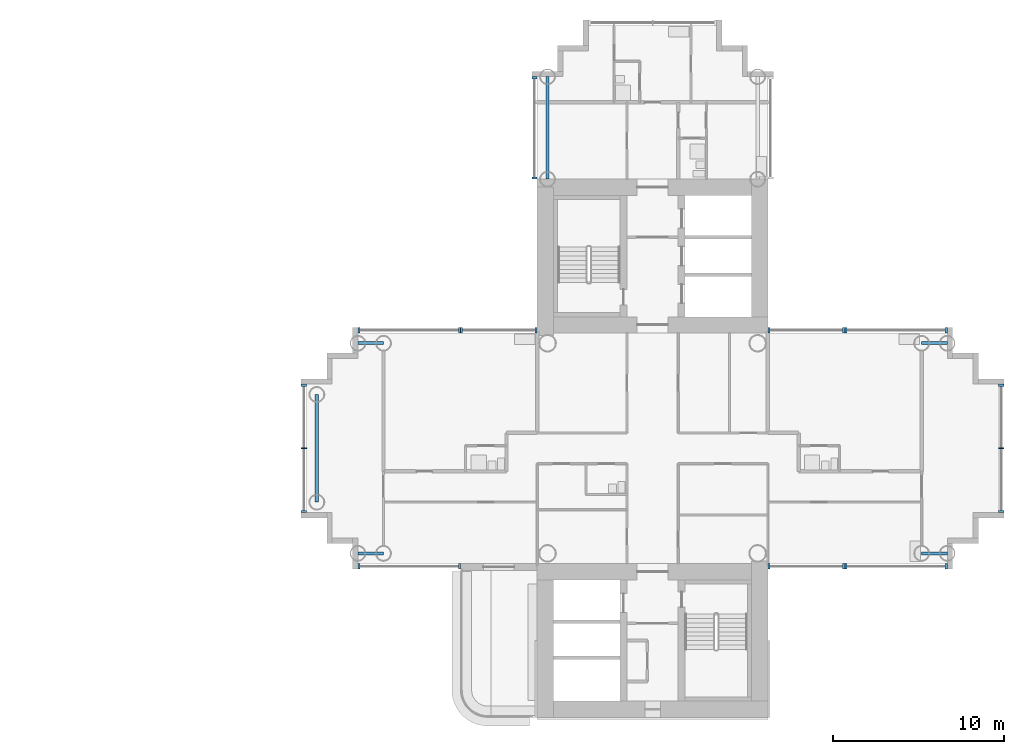
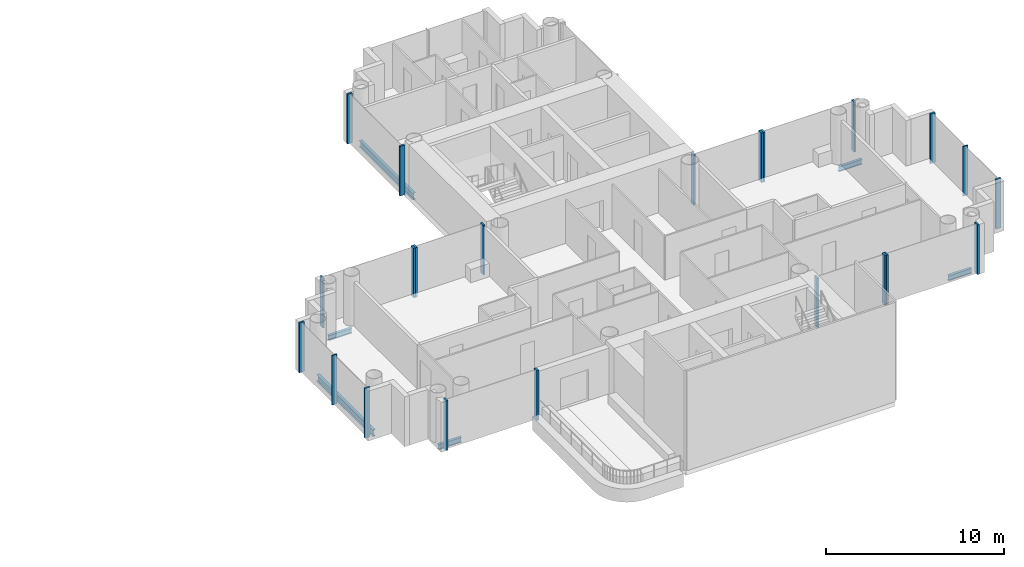
# One storey, part 5 of 21: 22 members, 6 beams, 10 elements without a shape of their own.
"""IFC4 building model written with IfcOpenShell, lengths in metres."""

from ifc_helpers import new_model, si_unit, direction, frame, origin, origin_2d, place, context, subcontext, project, spatial, rectangle, i_section, extrude, material, layer, layer_set, material_profile, profile_set, type_object, element, aggregate, save


model = new_model("IFC4")

# Units and contexts
model_context = context("Model", 3, precision=1e-05, world=origin(), true_north=direction((0.0, 1.0)))
body_context = subcontext(model_context, "Body", "Model", "MODEL_VIEW")
ifc_project = project(units=[si_unit("LENGTHUNIT", "METRE"), si_unit("AREAUNIT", "SQUARE_METRE"), si_unit("VOLUMEUNIT", "CUBIC_METRE"), si_unit("PLANEANGLEUNIT", "RADIAN"), si_unit("MASSUNIT", "GRAM", prefix="KILO")], contexts=[model_context])

# Site, building, storey
site_placement = place(None, origin())
site = spatial("IfcSite", under=ifc_project, at=site_placement, CompositionType="ELEMENT")
building_placement = place(site_placement, origin())
building = spatial("IfcBuilding", under=site, at=building_placement, Name="Ipe Terrace Towers", CompositionType="ELEMENT")
storey_placement = place(building_placement, frame((0.0, 0.0, 83.39990234375)))
storey = spatial("IfcBuildingStorey", under=building, at=storey_placement, Name="L22", CompositionType="ELEMENT", Elevation=83.39990234375)

# Beams
ifc_material_1 = material(Name="Steel S355", Category="steel")
ifc_material_profile_1 = material_profile(ifc_material_1, i_section(OverallWidth=0.175048828125, OverallDepth=0.35009765625, WebThickness=0.007080078125, FlangeThickness=0.010986328125, at=origin_2d()), Name="H-350x175x7x11")
ifc_profile_set_1 = profile_set([ifc_material_profile_1], Name="Steel S355")
beam_type_1 = type_object("IfcBeamType", Name="H04 EDGE BEAM H-350x175x7x11", PredefinedType="BEAM", material=ifc_profile_set_1)
for number, where, z_axis, x_axis, name in (
    (1, (20.25, 6.14990234375, -0.574951171875), (-1.0, 0.0, 0.0), (0.0, -1.0, 0.0), "Edge beam T2-EB-B03-B05"),
    (2, (20.25, -6.14990234375, -0.574951171875), (-1.0, 0.0, 0.0), (0.0, -1.0, 0.0), "Edge beam T2-EB-B04-B06"),
    (3, (51.75, -6.14990234375, -0.574951171875), (1.0, 0.0, 0.0), (0.0, 1.0, 0.0), "Edge beam T2-EB-D03-D05"),
    (4, (51.75, 6.14990234375, -0.574951171875), (1.0, 0.0, 0.0), (0.0, 1.0, 0.0), "Edge beam T2-EB-D04-D06"),
):
    element("IfcBeam", number, at=place(storey_placement, frame(where, z_axis=z_axis, x_axis=x_axis)), inside=storey, type_object=beam_type_1, Name=name, PredefinedType="BEAM", context=body_context, shape_type="SweptSolid", body=[
        extrude(i_section(OverallWidth=0.175048828125, OverallDepth=0.35009765625, WebThickness=0.007080078125, FlangeThickness=0.010986328125, at=origin_2d()), origin(), (0.0, 0.0, 1.0), 1.5),
    ])
ifc_material_2 = material(Name="Steel S355", Category="steel")
ifc_material_profile_2 = material_profile(ifc_material_2, i_section(OverallWidth=0.199951171875, OverallDepth=0.449951171875, WebThickness=0.009033203125, FlangeThickness=0.013916015625, at=origin_2d()), Name="H-450x200x9x14")
ifc_profile_set_2 = profile_set([ifc_material_profile_2], Name="Steel S355")
beam_type_2 = type_object("IfcBeamType", Name="H08 EDGE BEAM H-450x200x9x14", PredefinedType="BEAM", material=ifc_profile_set_2)
beam_1_placement = place(storey_placement, frame((29.85009765625, 15.75, -0.625), z_axis=(0.0, 1.0, 0.0), x_axis=(-1.0, 0.0, 0.0)))
element("IfcBeam", 5, at=beam_1_placement, inside=storey, type_object=beam_type_2, Name="Edge beam T2-EB-A02-A04", PredefinedType="BEAM", context=body_context, shape_type="SweptSolid", body=[
    extrude(i_section(OverallWidth=0.199951171875, OverallDepth=0.449951171875, WebThickness=0.009033203125, FlangeThickness=0.013916015625, at=origin_2d()), origin(), (0.0, 0.0, 1.0), 6.0),
])
beam_2_placement = place(storey_placement, frame((16.35009765625, 3.14990234375, -0.625), z_axis=(0.0, -1.0, 0.0), x_axis=(1.0, 0.0, 0.0)))
element("IfcBeam", 6, at=beam_2_placement, inside=storey, type_object=beam_type_2, Name="Edge beam T2-EB-B07-B08", PredefinedType="BEAM", context=body_context, shape_type="SweptSolid", body=[
    extrude(i_section(OverallWidth=0.199951171875, OverallDepth=0.449951171875, WebThickness=0.009033203125, FlangeThickness=0.013916015625, at=origin_2d()), origin(), (0.0, 0.0, 1.0), 6.2998046875),
])

# Curtain wall, members
ifc_material_3 = material(Name="Aluminium alloy 6063-T6", Category="aluminium")
ifc_layer = layer(ifc_material_3, 0.320068359375)
ifc_layer_set = layer_set([ifc_layer], Name="TOWER UNITISED CURTAIN WALL")
curtain_wall_type = type_object("IfcCurtainWallType", Name="TOWER UNITISED CURTAIN WALL", PredefinedType="NOTDEFINED", material=ifc_layer_set)
curtain_wall_1_placement = place(storey_placement, origin())
curtain_wall_1 = element("IfcCurtainWall", 7, at=curtain_wall_1_placement, inside=storey, type_object=curtain_wall_type, Name="T2-CW-L22-02a curtain wall", PredefinedType="NOTDEFINED")
ifc_material_4 = material(Name="Aluminium alloy 6063-T6", Category="aluminium")
ifc_material_profile_3 = material_profile(ifc_material_4, rectangle(XDim=0.320068359375, YDim=0.1201171875, at=origin_2d()), Name="TOWER UNITISED CORNER MULLION 320 x 120")
ifc_profile_set_3 = profile_set([ifc_material_profile_3], Name="Aluminium alloy 6063-T6")
member_type_1 = type_object("IfcMemberType", Name="TOWER UNITISED CORNER MULLION 320 x 120", PredefinedType="MULLION", material=ifc_profile_set_3)
member_1_placement = place(storey_placement, frame((42.81005859375, -6.909912109375, -0.2998046875), z_axis=(0.0, 0.0, 1.0), x_axis=(0.0, -1.0, 0.0)))
member_1 = element("IfcMember", 8, at=member_1_placement, type_object=member_type_1, Name="T2-CW-L22-02a mullion 1", PredefinedType="MULLION", context=body_context, shape_type="SweptSolid", body=[
    extrude(rectangle(XDim=0.320068359375, YDim=0.1201171875, at=origin_2d()), origin(), (0.0, 0.0, 1.0), 3.39990234375),
])
member_2_placement = place(storey_placement, frame((47.18994140625, -6.909912109375, -0.2998046875), z_axis=(0.0, 0.0, 1.0), x_axis=(0.0, -1.0, 0.0)))
member_2 = element("IfcMember", 9, at=member_2_placement, type_object=member_type_1, Name="T2-CW-L22-02a mullion 2", PredefinedType="MULLION", context=body_context, shape_type="SweptSolid", body=[
    extrude(rectangle(XDim=0.320068359375, YDim=0.1201171875, at=origin_2d()), origin(), (0.0, 0.0, 1.0), 3.39990234375),
])
aggregate(curtain_wall_1, [member_1, member_2])

curtain_wall_2_placement = place(storey_placement, origin())
curtain_wall_2 = element("IfcCurtainWall", 10, at=curtain_wall_2_placement, inside=storey, type_object=curtain_wall_type, Name="T2-CW-L22-03a curtain wall", PredefinedType="NOTDEFINED")
member_3_placement = place(storey_placement, frame((47.31005859375, -6.909912109375, -0.2998046875), z_axis=(0.0, 0.0, 1.0), x_axis=(0.0, -1.0, 0.0)))
member_3 = element("IfcMember", 11, at=member_3_placement, type_object=member_type_1, Name="T2-CW-L22-03a mullion 1", PredefinedType="MULLION", context=body_context, shape_type="SweptSolid", body=[
    extrude(rectangle(XDim=0.320068359375, YDim=0.1201171875, at=origin_2d()), origin(), (0.0, 0.0, 1.0), 3.39990234375),
])
member_4_placement = place(storey_placement, frame((53.18994140625, -6.909912109375, -0.2998046875), z_axis=(0.0, 0.0, 1.0), x_axis=(0.0, -1.0, 0.0)))
member_4 = element("IfcMember", 12, at=member_4_placement, type_object=member_type_1, Name="T2-CW-L22-03a mullion 2", PredefinedType="MULLION", context=body_context, shape_type="SweptSolid", body=[
    extrude(rectangle(XDim=0.320068359375, YDim=0.1201171875, at=origin_2d()), origin(), (0.0, 0.0, 1.0), 3.39990234375),
])
aggregate(curtain_wall_2, [member_3, member_4])

curtain_wall_3_placement = place(storey_placement, origin())
curtain_wall_3 = element("IfcCurtainWall", 13, at=curtain_wall_3_placement, inside=storey, type_object=curtain_wall_type, Name="T2-CW-L22-08a curtain wall", PredefinedType="NOTDEFINED")
member_5_placement = place(storey_placement, frame((56.409912109375, -3.68994140625, -0.2998046875), z_axis=(0.0, 0.0, 1.0), x_axis=(1.0, 0.0, 0.0)))
member_5 = element("IfcMember", 14, at=member_5_placement, type_object=member_type_1, Name="T2-CW-L22-08a mullion 1", PredefinedType="MULLION", context=body_context, shape_type="SweptSolid", body=[
    extrude(rectangle(XDim=0.320068359375, YDim=0.1201171875, at=origin_2d()), origin(), (0.0, 0.0, 1.0), 3.39990234375),
])
member_6_placement = place(storey_placement, frame((56.409912109375, 3.68994140625, -0.2998046875), z_axis=(0.0, 0.0, 1.0), x_axis=(1.0, 0.0, 0.0)))
member_6 = element("IfcMember", 15, at=member_6_placement, type_object=member_type_1, Name="T2-CW-L22-08a mullion 3", PredefinedType="MULLION", context=body_context, shape_type="SweptSolid", body=[
    extrude(rectangle(XDim=0.320068359375, YDim=0.1201171875, at=origin_2d()), origin(), (0.0, 0.0, 1.0), 3.39990234375),
])

curtain_wall_4_placement = place(storey_placement, origin())
curtain_wall_4 = element("IfcCurtainWall", 16, at=curtain_wall_4_placement, inside=storey, type_object=curtain_wall_type, Name="T2-CW-L22-13a curtain wall", PredefinedType="NOTDEFINED")
member_7_placement = place(storey_placement, frame((53.18994140625, 6.909912109375, -0.2998046875), z_axis=(0.0, 0.0, 1.0), x_axis=(0.0, 1.0, 0.0)))
member_7 = element("IfcMember", 17, at=member_7_placement, type_object=member_type_1, Name="T2-CW-L22-13a mullion 1", PredefinedType="MULLION", context=body_context, shape_type="SweptSolid", body=[
    extrude(rectangle(XDim=0.320068359375, YDim=0.1201171875, at=origin_2d()), origin(), (0.0, 0.0, 1.0), 3.39990234375),
])
member_8_placement = place(storey_placement, frame((47.31005859375, 6.909912109375, -0.2998046875), z_axis=(0.0, 0.0, 1.0), x_axis=(0.0, 1.0, 0.0)))
member_8 = element("IfcMember", 18, at=member_8_placement, type_object=member_type_1, Name="T2-CW-L22-13a mullion 2", PredefinedType="MULLION", context=body_context, shape_type="SweptSolid", body=[
    extrude(rectangle(XDim=0.320068359375, YDim=0.1201171875, at=origin_2d()), origin(), (0.0, 0.0, 1.0), 3.39990234375),
])
aggregate(curtain_wall_4, [member_7, member_8])

curtain_wall_5_placement = place(storey_placement, origin())
curtain_wall_5 = element("IfcCurtainWall", 19, at=curtain_wall_5_placement, inside=storey, type_object=curtain_wall_type, Name="T2-CW-L22-14a curtain wall", PredefinedType="NOTDEFINED")
member_9_placement = place(storey_placement, frame((47.18994140625, 6.909912109375, -0.2998046875), z_axis=(0.0, 0.0, 1.0), x_axis=(0.0, 1.0, 0.0)))
member_9 = element("IfcMember", 20, at=member_9_placement, type_object=member_type_1, Name="T2-CW-L22-14a mullion 1", PredefinedType="MULLION", context=body_context, shape_type="SweptSolid", body=[
    extrude(rectangle(XDim=0.320068359375, YDim=0.1201171875, at=origin_2d()), origin(), (0.0, 0.0, 1.0), 3.39990234375),
])
member_10_placement = place(storey_placement, frame((42.81005859375, 6.909912109375, -0.2998046875), z_axis=(0.0, 0.0, 1.0), x_axis=(0.0, 1.0, 0.0)))
member_10 = element("IfcMember", 21, at=member_10_placement, type_object=member_type_1, Name="T2-CW-L22-14a mullion 2", PredefinedType="MULLION", context=body_context, shape_type="SweptSolid", body=[
    extrude(rectangle(XDim=0.320068359375, YDim=0.1201171875, at=origin_2d()), origin(), (0.0, 0.0, 1.0), 3.39990234375),
])
aggregate(curtain_wall_5, [member_9, member_10])

curtain_wall_6_placement = place(storey_placement, origin())
curtain_wall_6 = element("IfcCurtainWall", 22, at=curtain_wall_6_placement, inside=storey, type_object=curtain_wall_type, Name="T2-CW-L22-26a curtain wall", PredefinedType="NOTDEFINED")
member_11_placement = place(storey_placement, frame((29.090087890625, 21.68994140625, -0.2998046875), z_axis=(0.0, 0.0, 1.0), x_axis=(-1.0, 0.0, 0.0)))
member_11 = element("IfcMember", 23, at=member_11_placement, type_object=member_type_1, Name="T2-CW-L22-26a mullion 1", PredefinedType="MULLION", context=body_context, shape_type="SweptSolid", body=[
    extrude(rectangle(XDim=0.320068359375, YDim=0.1201171875, at=origin_2d()), origin(), (0.0, 0.0, 1.0), 3.39990234375),
])
member_12_placement = place(storey_placement, frame((29.090087890625, 15.81103515625, -0.2998046875), z_axis=(0.0, 0.0, 1.0), x_axis=(-1.0, 0.0, 0.0)))
member_12 = element("IfcMember", 24, at=member_12_placement, type_object=member_type_1, Name="T2-CW-L22-26a mullion 2", PredefinedType="MULLION", context=body_context, shape_type="SweptSolid", body=[
    extrude(rectangle(XDim=0.320068359375, YDim=0.1201171875, at=origin_2d()), origin(), (0.0, 0.0, 1.0), 3.39990234375),
])
aggregate(curtain_wall_6, [member_11, member_12])

curtain_wall_7_placement = place(storey_placement, origin())
curtain_wall_7 = element("IfcCurtainWall", 25, at=curtain_wall_7_placement, inside=storey, type_object=curtain_wall_type, Name="T2-CW-L22-28a curtain wall", PredefinedType="NOTDEFINED")
member_13_placement = place(storey_placement, frame((29.18994140625, 6.909912109375, -0.2998046875), z_axis=(0.0, 0.0, 1.0), x_axis=(0.0, 1.0, 0.0)))
member_13 = element("IfcMember", 26, at=member_13_placement, type_object=member_type_1, Name="T2-CW-L22-28a mullion 1", PredefinedType="MULLION", context=body_context, shape_type="SweptSolid", body=[
    extrude(rectangle(XDim=0.320068359375, YDim=0.1201171875, at=origin_2d()), origin(), (0.0, 0.0, 1.0), 3.39990234375),
])
member_14_placement = place(storey_placement, frame((24.81005859375, 6.909912109375, -0.2998046875), z_axis=(0.0, 0.0, 1.0), x_axis=(0.0, 1.0, 0.0)))
member_14 = element("IfcMember", 27, at=member_14_placement, type_object=member_type_1, Name="T2-CW-L22-28a mullion 2", PredefinedType="MULLION", context=body_context, shape_type="SweptSolid", body=[
    extrude(rectangle(XDim=0.320068359375, YDim=0.1201171875, at=origin_2d()), origin(), (0.0, 0.0, 1.0), 3.39990234375),
])
aggregate(curtain_wall_7, [member_13, member_14])

curtain_wall_8_placement = place(storey_placement, origin())
curtain_wall_8 = element("IfcCurtainWall", 28, at=curtain_wall_8_placement, inside=storey, type_object=curtain_wall_type, Name="T2-CW-L22-29a curtain wall", PredefinedType="NOTDEFINED")
member_15_placement = place(storey_placement, frame((24.68994140625, 6.909912109375, -0.2998046875), z_axis=(0.0, 0.0, 1.0), x_axis=(0.0, 1.0, 0.0)))
member_15 = element("IfcMember", 29, at=member_15_placement, type_object=member_type_1, Name="T2-CW-L22-29a mullion 1", PredefinedType="MULLION", context=body_context, shape_type="SweptSolid", body=[
    extrude(rectangle(XDim=0.320068359375, YDim=0.1201171875, at=origin_2d()), origin(), (0.0, 0.0, 1.0), 3.39990234375),
])
member_16_placement = place(storey_placement, frame((18.81005859375, 6.909912109375, -0.2998046875), z_axis=(0.0, 0.0, 1.0), x_axis=(0.0, 1.0, 0.0)))
member_16 = element("IfcMember", 30, at=member_16_placement, type_object=member_type_1, Name="T2-CW-L22-29a mullion 2", PredefinedType="MULLION", context=body_context, shape_type="SweptSolid", body=[
    extrude(rectangle(XDim=0.320068359375, YDim=0.1201171875, at=origin_2d()), origin(), (0.0, 0.0, 1.0), 3.39990234375),
])
aggregate(curtain_wall_8, [member_15, member_16])

curtain_wall_9_placement = place(storey_placement, origin())
curtain_wall_9 = element("IfcCurtainWall", 31, at=curtain_wall_9_placement, inside=storey, type_object=curtain_wall_type, Name="T2-CW-L22-34a curtain wall", PredefinedType="NOTDEFINED")
member_17_placement = place(storey_placement, frame((15.590087890625, 3.68994140625, -0.2998046875), z_axis=(0.0, 0.0, 1.0), x_axis=(-1.0, 0.0, 0.0)))
member_17 = element("IfcMember", 32, at=member_17_placement, type_object=member_type_1, Name="T2-CW-L22-34a mullion 1", PredefinedType="MULLION", context=body_context, shape_type="SweptSolid", body=[
    extrude(rectangle(XDim=0.320068359375, YDim=0.1201171875, at=origin_2d()), origin(), (0.0, 0.0, 1.0), 3.39990234375),
])
member_18_placement = place(storey_placement, frame((15.590087890625, -3.68994140625, -0.2998046875), z_axis=(0.0, 0.0, 1.0), x_axis=(-1.0, 0.0, 0.0)))
member_18 = element("IfcMember", 33, at=member_18_placement, type_object=member_type_1, Name="T2-CW-L22-34a mullion 3", PredefinedType="MULLION", context=body_context, shape_type="SweptSolid", body=[
    extrude(rectangle(XDim=0.320068359375, YDim=0.1201171875, at=origin_2d()), origin(), (0.0, 0.0, 1.0), 3.39990234375),
])

curtain_wall_10_placement = place(storey_placement, origin())
curtain_wall_10 = element("IfcCurtainWall", 34, at=curtain_wall_10_placement, inside=storey, type_object=curtain_wall_type, Name="T2-CW-L22-39a curtain wall", PredefinedType="NOTDEFINED")
member_19_placement = place(storey_placement, frame((18.81005859375, -6.909912109375, -0.2998046875), z_axis=(0.0, 0.0, 1.0), x_axis=(0.0, -1.0, 0.0)))
member_19 = element("IfcMember", 35, at=member_19_placement, type_object=member_type_1, Name="T2-CW-L22-39a mullion 1", PredefinedType="MULLION", context=body_context, shape_type="SweptSolid", body=[
    extrude(rectangle(XDim=0.320068359375, YDim=0.1201171875, at=origin_2d()), origin(), (0.0, 0.0, 1.0), 3.39990234375),
])
member_20_placement = place(storey_placement, frame((24.68994140625, -6.909912109375, -0.2998046875), z_axis=(0.0, 0.0, 1.0), x_axis=(0.0, -1.0, 0.0)))
member_20 = element("IfcMember", 36, at=member_20_placement, type_object=member_type_1, Name="T2-CW-L22-39a mullion 2", PredefinedType="MULLION", context=body_context, shape_type="SweptSolid", body=[
    extrude(rectangle(XDim=0.320068359375, YDim=0.1201171875, at=origin_2d()), origin(), (0.0, 0.0, 1.0), 3.39990234375),
])
aggregate(curtain_wall_10, [member_19, member_20])

# Member
ifc_material_5 = material(Name="Aluminium alloy 6063-T6", Category="aluminium")
ifc_material_profile_4 = material_profile(ifc_material_5, rectangle(XDim=0.320068359375, YDim=0.06494140625, at=origin_2d()), Name="TOWER UNITISED MULLION 320 x 65")
ifc_profile_set_4 = profile_set([ifc_material_profile_4], Name="Aluminium alloy 6063-T6")
member_type_2 = type_object("IfcMemberType", Name="TOWER UNITISED MULLION 320 x 65", PredefinedType="MULLION", material=ifc_profile_set_4)
member_21_placement = place(storey_placement, frame((56.409912109375, 0.0, -0.2998046875), z_axis=(0.0, 0.0, 1.0), x_axis=(1.0, 0.0, 0.0)))
member_21 = element("IfcMember", 37, at=member_21_placement, type_object=member_type_2, Name="T2-CW-L22-08a mullion 2", PredefinedType="MULLION", context=body_context, shape_type="SweptSolid", body=[
    extrude(rectangle(XDim=0.320068359375, YDim=0.06494140625, at=origin_2d()), origin(), (0.0, 0.0, 1.0), 3.39990234375),
])

aggregate(curtain_wall_3, [member_5, member_21, member_6])

member_22_placement = place(storey_placement, frame((15.590087890625, 0.0, -0.2998046875), z_axis=(0.0, 0.0, 1.0), x_axis=(-1.0, 0.0, 0.0)))
member_22 = element("IfcMember", 38, at=member_22_placement, type_object=member_type_2, Name="T2-CW-L22-34a mullion 2", PredefinedType="MULLION", context=body_context, shape_type="SweptSolid", body=[
    extrude(rectangle(XDim=0.320068359375, YDim=0.06494140625, at=origin_2d()), origin(), (0.0, 0.0, 1.0), 3.39990234375),
])

aggregate(curtain_wall_9, [member_17, member_22, member_18])

save(model, "model.ifc")
